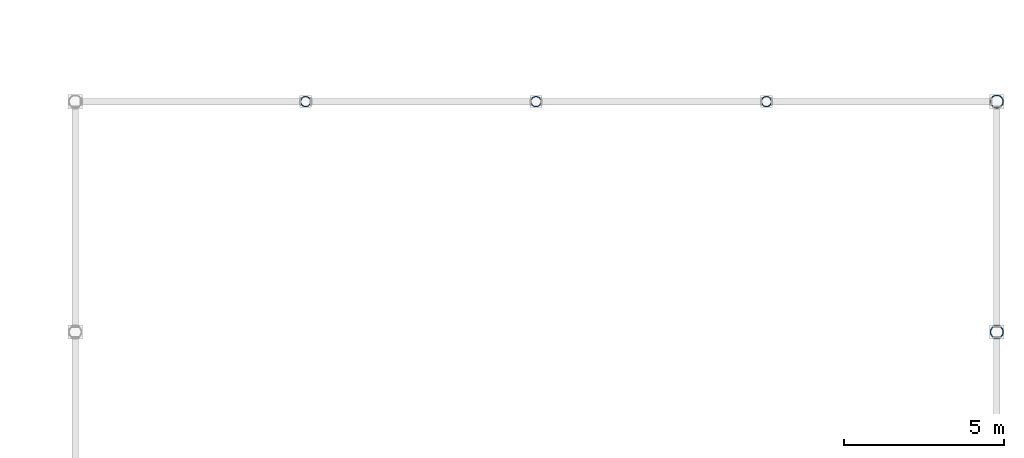
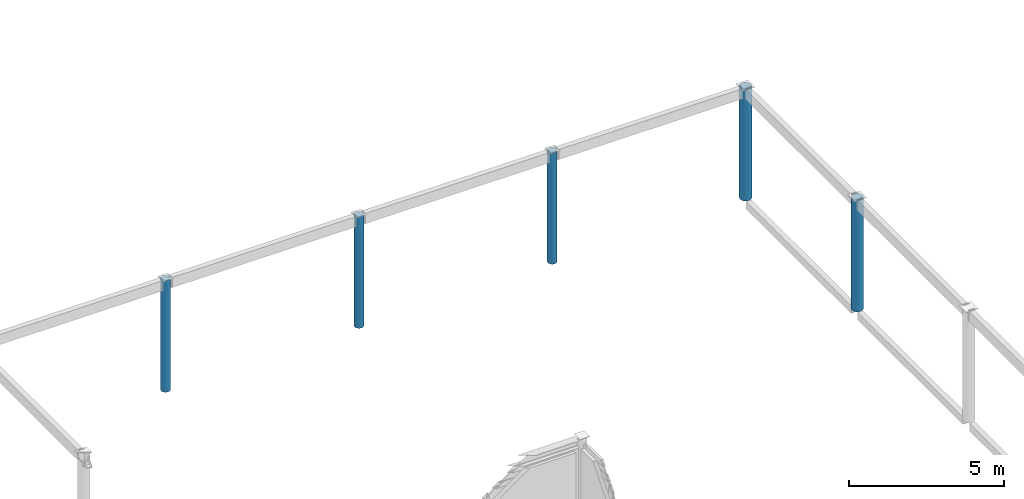
# One storey, part 11 of 72: 5 columns.
"""IFC4 building model written with IfcOpenShell, lengths in metres."""

from ifc_helpers import new_model, si_unit, direction, frame, origin, origin_2d, place, context, subcontext, project, spatial, hollow_circle, extrude, material, material_profile, profile_set, type_object, element, save


model = new_model("IFC4")

# Units and contexts
model_context = context("Model", 3, precision=1e-05, world=origin(), true_north=direction((0.0, 1.0)))
body_context = subcontext(model_context, "Body", "Model", "MODEL_VIEW")
ifc_project = project(units=[si_unit("LENGTHUNIT", "METRE"), si_unit("AREAUNIT", "SQUARE_METRE"), si_unit("VOLUMEUNIT", "CUBIC_METRE"), si_unit("PLANEANGLEUNIT", "RADIAN"), si_unit("MASSUNIT", "GRAM", prefix="KILO")], contexts=[model_context])

# Site, building, storey
site_placement = place(None, origin())
site = spatial("IfcSite", under=ifc_project, at=site_placement, CompositionType="ELEMENT")
building_placement = place(site_placement, origin())
building = spatial("IfcBuilding", under=site, at=building_placement, Name="Zarrinpeak Specialist Clinic", CompositionType="ELEMENT")
storey_placement = place(building_placement, frame((0.0, 0.0, 9.60009765625)))
storey = spatial("IfcBuildingStorey", under=building, at=storey_placement, Name="L02", CompositionType="ELEMENT", Elevation=9.60009765625)

# Columns
ifc_material = material(Name="Steel S355", Category="steel")
ifc_material_profile_1 = material_profile(ifc_material, hollow_circle(Radius=0.161865234375, WallThickness=0.012451171875, at=origin_2d()), Name="CHS 323.9x12.5")
ifc_profile_set_1 = profile_set([ifc_material_profile_1], Name="Steel S355")
column_type_1 = type_object("IfcColumnType", Name="COL-CHS324", PredefinedType="COLUMN", material=ifc_profile_set_1)
for number, where, z_axis, x_axis, name in (
    (1, (100.800048828125, 72.0, 0.0), (0.0, 0.0, 1.0), (1.0, 0.0, 0.0), "L02 Structural Column COL-L02-148"),
    (2, (108.0, 72.0, 0.0), (0.0, 0.0, 1.0), (1.0, 0.0, 0.0), "L02 Structural Column COL-L02-154"),
    (3, (115.199951171875, 72.0, 0.0), (0.0, 0.0, 1.0), (1.0, 0.0, 0.0), "L02 Structural Column COL-L02-156"),
):
    element("IfcColumn", number, at=place(storey_placement, frame(where, z_axis=z_axis, x_axis=x_axis)), inside=storey, type_object=column_type_1, Name=name, PredefinedType="COLUMN", context=body_context, shape_type="SweptSolid", body=[
        extrude(hollow_circle(Radius=0.161865234375, WallThickness=0.012451171875, at=origin_2d()), origin(), (0.0, 0.0, 1.0), 4.39990234375),
    ])
ifc_material_profile_2 = material_profile(ifc_material, hollow_circle(Radius=0.203125, WallThickness=0.01611328125, at=origin_2d()), Name="CHS 406.4x16.0")
ifc_profile_set_2 = profile_set([ifc_material_profile_2], Name="Steel S355")
column_type_2 = type_object("IfcColumnType", Name="COL-CHS406", PredefinedType="COLUMN", material=ifc_profile_set_2)
for number, where, z_axis, x_axis, name in (
    (4, (122.39990234375, 64.800048828125, 0.0), (0.0, 0.0, 1.0), (1.0, 0.0, 0.0), "L02 Structural Column COL-L02-162"),
    (5, (122.39990234375, 72.0, 0.0), (0.0, 0.0, 1.0), (1.0, 0.0, 0.0), "L02 Structural Column COL-L02-163"),
):
    element("IfcColumn", number, at=place(storey_placement, frame(where, z_axis=z_axis, x_axis=x_axis)), inside=storey, type_object=column_type_2, Name=name, PredefinedType="COLUMN", context=body_context, shape_type="SweptSolid", body=[
        extrude(hollow_circle(Radius=0.203125, WallThickness=0.01611328125, at=origin_2d()), origin(), (0.0, 0.0, 1.0), 4.39990234375),
    ])

save(model, "model.ifc")
